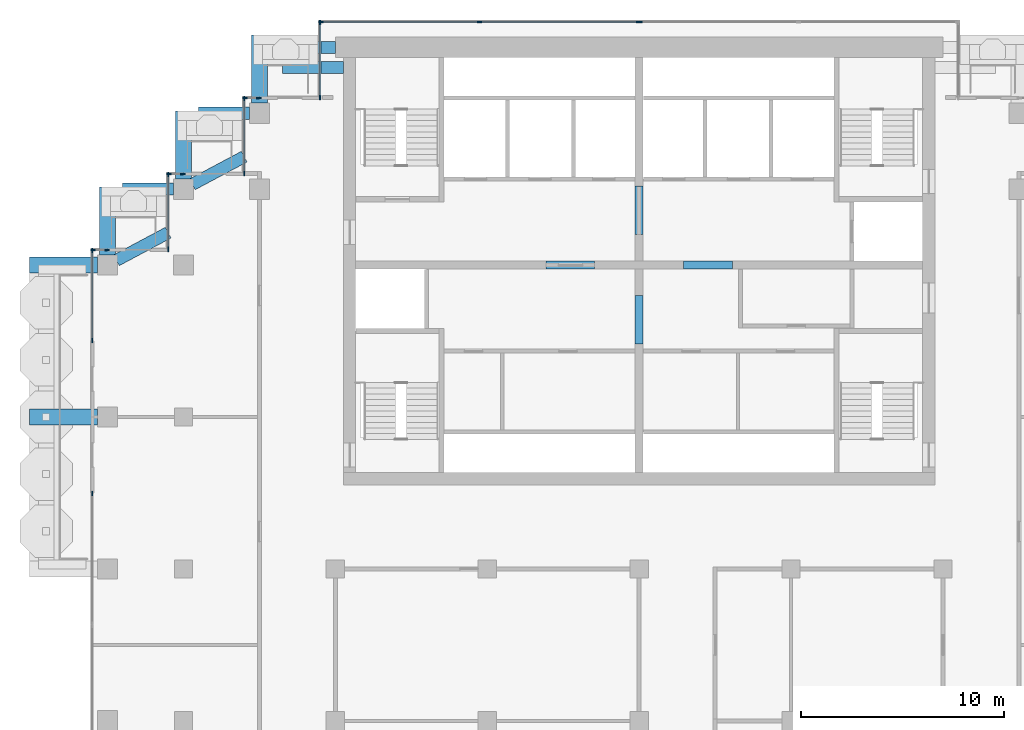
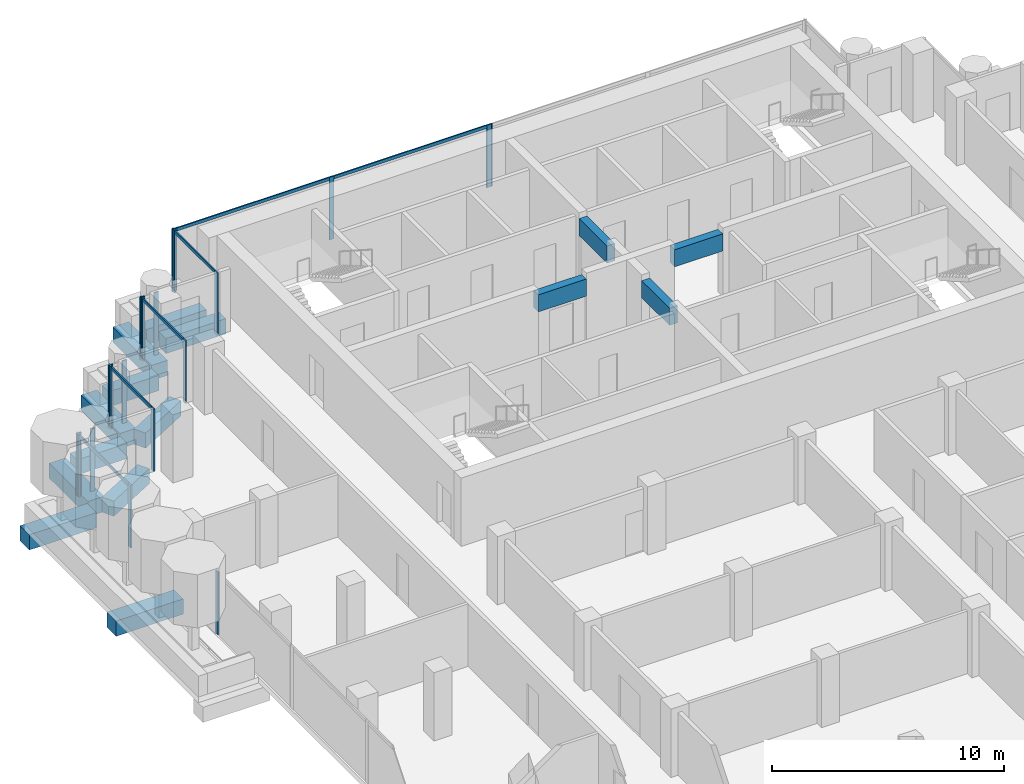
# One storey, part 5 of 18: 25 members, 15 beams, 10 elements without a shape of their own.
"""IFC4 building model written with IfcOpenShell, lengths in metres."""

from ifc_helpers import new_model, si_unit, direction, frame, origin, origin_2d, place, context, subcontext, project, spatial, rectangle, extrude, material, material_profile, profile_set, type_object, element, aggregate, save


model = new_model("IFC4")

# Units and contexts
model_context = context("Model", 3, precision=1e-05, world=origin(), true_north=direction((0.0, 1.0)))
body_context = subcontext(model_context, "Body", "Model", "MODEL_VIEW")
ifc_project = project(units=[si_unit("LENGTHUNIT", "METRE"), si_unit("AREAUNIT", "SQUARE_METRE"), si_unit("VOLUMEUNIT", "CUBIC_METRE"), si_unit("PLANEANGLEUNIT", "RADIAN"), si_unit("MASSUNIT", "GRAM", prefix="KILO")], contexts=[model_context])

# Site, building, storey
site_placement = place(None, origin())
site = spatial("IfcSite", under=ifc_project, at=site_placement, CompositionType="ELEMENT")
building_placement = place(site_placement, origin())
building = spatial("IfcBuilding", under=site, at=building_placement, Name="Pilkhan Gate Tower", CompositionType="ELEMENT")
storey_placement = place(building_placement, frame((0.0, 0.0, 221.10009765625)))
storey = spatial("IfcBuildingStorey", under=building, at=storey_placement, Name="L57", CompositionType="ELEMENT", Elevation=221.10009765625)

# Beams
ifc_material_1 = material(Name="Concrete C50/60", Category="concrete")
ifc_material_profile_1 = material_profile(ifc_material_1, rectangle(XDim=0.60009765625, YDim=0.800048828125, at=origin_2d()), Name="RC 600x800")
ifc_profile_set_1 = profile_set([ifc_material_profile_1], Name="Concrete C50/60")
beam_type_1 = type_object("IfcBeamType", Name="Cantilever beam CB1 RC 600x800 C50/60", PredefinedType="BEAM", material=ifc_profile_set_1)
for number, where, z_axis, x_axis, name in (
    (1, (60.0, 93.25, -0.7001953125), (-1.0, 0.0, 0.0), (0.0, -1.0, 0.0), "Balcony beam NW.2 L57"),
    (2, (60.39990234375, 92.25, -0.7001953125), (-1.0, 0.0, 0.0), (0.0, -1.0, 0.0), "Balcony beam NW.3 L57"),
):
    element("IfcBeam", number, at=place(storey_placement, frame(where, z_axis=z_axis, x_axis=x_axis)), inside=storey, type_object=beam_type_1, Name=name, PredefinedType="BEAM", context=body_context, shape_type="SweptSolid", body=[
        extrude(rectangle(XDim=0.60009765625, YDim=0.800048828125, at=origin_2d()), origin(), (0.0, 0.0, 1.0), 3.0),
    ])
beam_1_placement = place(storey_placement, frame((55.75, 90.0, -0.7001953125), z_axis=(-1.0, 0.0, 0.0), x_axis=(0.0, -1.0, 0.0)))
element("IfcBeam", 3, at=beam_1_placement, inside=storey, type_object=beam_type_1, Name="Balcony beam NW1.2 L57", PredefinedType="BEAM", context=body_context, shape_type="SweptSolid", body=[
    extrude(rectangle(XDim=0.60009765625, YDim=0.800048828125, at=origin_2d()), origin(), (0.0, 0.0, 1.0), 2.5),
])
beam_2_placement = place(storey_placement, frame((52.941162109375, 86.4853515625, -0.7001953125), z_axis=(0.882348280344, 0.470596974251, 0.0), x_axis=(-0.470596974251, 0.882348280344, 0.0)))
element("IfcBeam", 4, at=beam_2_placement, inside=storey, type_object=beam_type_1, Name="Balcony beam NW1.3 L57", PredefinedType="BEAM", context=body_context, shape_type="SweptSolid", body=[
    extrude(rectangle(XDim=0.60009765625, YDim=0.800048828125, at=origin_2d()), origin(), (0.0, 0.0, 1.0), 2.900146484375),
])
beam_3_placement = place(storey_placement, frame((52.0, 86.25, -0.7001953125), z_axis=(-1.0, 0.0, 0.0), x_axis=(0.0, -1.0, 0.0)))
element("IfcBeam", 5, at=beam_3_placement, inside=storey, type_object=beam_type_1, Name="Balcony beam NW2.2 L57", PredefinedType="BEAM", context=body_context, shape_type="SweptSolid", body=[
    extrude(rectangle(XDim=0.60009765625, YDim=0.800048828125, at=origin_2d()), origin(), (0.0, 0.0, 1.0), 2.5),
])
beam_4_placement = place(storey_placement, frame((49.191162109375, 82.7353515625, -0.7001953125), z_axis=(0.882348280344, 0.470596974251, 0.0), x_axis=(-0.470596974251, 0.882348280344, 0.0)))
element("IfcBeam", 6, at=beam_4_placement, inside=storey, type_object=beam_type_1, Name="Balcony beam NW2.3 L57", PredefinedType="BEAM", context=body_context, shape_type="SweptSolid", body=[
    extrude(rectangle(XDim=0.60009765625, YDim=0.800048828125, at=origin_2d()), origin(), (0.0, 0.0, 1.0), 2.900146484375),
])
ifc_material_profile_2 = material_profile(ifc_material_1, rectangle(XDim=0.800048828125, YDim=0.800048828125, at=origin_2d()), Name="RC 800x800")
ifc_profile_set_2 = profile_set([ifc_material_profile_2], Name="Concrete C50/60")
beam_type_2 = type_object("IfcBeamType", Name="Cantilever beam CB2 RC 800x800 C50/60", PredefinedType="BEAM", material=ifc_profile_set_2)
for number, where, z_axis, x_axis, name in (
    (7, (56.25, 90.5, -0.7001953125), (0.0, 1.0, 0.0), (-1.0, 0.0, 0.0), "Balcony beam NW.1 L57"),
    (8, (52.5, 86.75, -0.7001953125), (0.0, 1.0, 0.0), (-1.0, 0.0, 0.0), "Balcony beam NW1.1 L57"),
    (9, (48.75, 83.0, -0.7001953125), (0.0, 1.0, 0.0), (-1.0, 0.0, 0.0), "Balcony beam NW2.1 L57"),
    (10, (48.25, 75.0, -0.7001953125), (-1.0, 0.0, 0.0), (0.0, -1.0, 0.0), "Balcony beam W.2 L57"),
    (11, (48.25, 82.5, -0.7001953125), (-1.0, 0.0, 0.0), (0.0, -1.0, 0.0), "Balcony beam W.3 L57"),
):
    element("IfcBeam", number, at=place(storey_placement, frame(where, z_axis=z_axis, x_axis=x_axis)), inside=storey, type_object=beam_type_2, Name=name, PredefinedType="BEAM", context=body_context, shape_type="SweptSolid", body=[
        extrude(rectangle(XDim=0.800048828125, YDim=0.800048828125, at=origin_2d()), origin(), (0.0, 0.0, 1.0), 3.35009765625),
    ])
ifc_material_profile_3 = material_profile(ifc_material_1, rectangle(XDim=0.39990234375, YDim=0.89990234375, at=origin_2d()), Name="RC 400x900")
ifc_profile_set_3 = profile_set([ifc_material_profile_3], Name="Concrete C50/60")
beam_type_3 = type_object("IfcBeamType", Name="Coupling beam CB90-4 RC 400x900 C50/60", PredefinedType="LINTEL", material=ifc_profile_set_3)
for number, where, z_axis, x_axis, name in (
    (12, (70.39990234375, 82.5, 2.849853515625), (1.0, 0.0, 0.0), (0.0, 1.0, 0.0), "Coupling beam 1 L57"),
    (13, (77.199951171875, 82.5, 2.849853515625), (1.0, 0.0, 0.0), (0.0, 1.0, 0.0), "Coupling beam 2 L57"),
):
    element("IfcBeam", number, at=place(storey_placement, frame(where, z_axis=z_axis, x_axis=x_axis)), inside=storey, type_object=beam_type_3, Name=name, PredefinedType="LINTEL", context=body_context, shape_type="SweptSolid", body=[
        extrude(rectangle(XDim=0.39990234375, YDim=0.89990234375, at=origin_2d()), origin(), (0.0, 0.0, 1.0), 2.400146484375),
    ])
for number, where, z_axis, x_axis, name in (
    (14, (75.0, 78.60009765625, 2.849853515625), (0.0, 1.0, 0.0), (-1.0, 0.0, 0.0), "Coupling beam 3 L57"),
    (15, (75.0, 84.0, 2.849853515625), (0.0, 1.0, 0.0), (-1.0, 0.0, 0.0), "Coupling beam 4 L57"),
):
    element("IfcBeam", number, at=place(storey_placement, frame(where, z_axis=z_axis, x_axis=x_axis)), inside=storey, type_object=beam_type_3, Name=name, PredefinedType="LINTEL", context=body_context, shape_type="SweptSolid", body=[
        extrude(rectangle(XDim=0.39990234375, YDim=0.89990234375, at=origin_2d()), origin(), (0.0, 0.0, 1.0), 2.39990234375),
    ])

# Curtain wall, members
ifc_material_2 = material(Name="Pale anodised aluminium, clear low-iron double glazing", Category="aluminium")
curtain_wall_type = type_object("IfcCurtainWallType", Name="Office unitised curtain wall CW-O2", PredefinedType="USERDEFINED", material=ifc_material_2)
curtain_wall_1_placement = place(storey_placement, origin())
curtain_wall_1 = element("IfcCurtainWall", 16, at=curtain_wall_1_placement, inside=storey, type_object=curtain_wall_type, Name="Office unitised curtain wall CW-O2 L57 N", ObjectType="UNITISED CURTAIN WALL", PredefinedType="USERDEFINED")
ifc_material_3 = material(Name="Pale anodised aluminium", Category="aluminium")
ifc_material_profile_4 = material_profile(ifc_material_3, rectangle(XDim=0.06494140625, YDim=0.22509765625, at=origin_2d()), Name="Mullion 225x65")
ifc_profile_set_4 = profile_set([ifc_material_profile_4], Name="Pale anodised aluminium")
member_type_1 = type_object("IfcMemberType", Name="Mullion CW-O2 225x65", PredefinedType="MULLION", material=ifc_profile_set_4)
member_1_placement = place(storey_placement, frame((59.282470703125, 94.5, 0.0), z_axis=(0.0, 0.0, 1.0), x_axis=(0.0, 1.0, 0.0)))
member_1 = element("IfcMember", 17, at=member_1_placement, type_object=member_type_1, Name="CW-O2 mullion 1", PredefinedType="MULLION", context=body_context, shape_type="SweptSolid", body=[
    extrude(rectangle(XDim=0.06494140625, YDim=0.22509765625, at=origin_2d()), origin(), (0.0, 0.0, 1.0), 3.2998046875),
])
member_2_placement = place(storey_placement, frame((67.125, 94.5, 0.0), z_axis=(0.0, 0.0, 1.0), x_axis=(0.0, 1.0, 0.0)))
member_2 = element("IfcMember", 18, at=member_2_placement, type_object=member_type_1, Name="CW-O2 mullion 2", PredefinedType="MULLION", context=body_context, shape_type="SweptSolid", body=[
    extrude(rectangle(XDim=0.06494140625, YDim=0.22509765625, at=origin_2d()), origin(), (0.0, 0.0, 1.0), 3.2998046875),
])
member_3_placement = place(storey_placement, frame((74.967529296875, 94.5, 0.0), z_axis=(0.0, 0.0, 1.0), x_axis=(0.0, 1.0, 0.0)))
member_3 = element("IfcMember", 19, at=member_3_placement, type_object=member_type_1, Name="CW-O2 mullion 3", PredefinedType="MULLION", context=body_context, shape_type="SweptSolid", body=[
    extrude(rectangle(XDim=0.06494140625, YDim=0.22509765625, at=origin_2d()), origin(), (0.0, 0.0, 1.0), 3.2998046875),
])

# Curtain wall, member
curtain_wall_2_placement = place(storey_placement, origin())
curtain_wall_2 = element("IfcCurtainWall", 20, at=curtain_wall_2_placement, inside=storey, type_object=curtain_wall_type, Name="Office unitised curtain wall CW-O2 L57 N", ObjectType="UNITISED CURTAIN WALL", PredefinedType="USERDEFINED")
member_4_placement = place(storey_placement, frame((75.032470703125, 94.5, 0.0), z_axis=(0.0, 0.0, 1.0), x_axis=(0.0, 1.0, 0.0)))
member_4 = element("IfcMember", 21, at=member_4_placement, type_object=member_type_1, Name="CW-O2 mullion 1", PredefinedType="MULLION", context=body_context, shape_type="SweptSolid", body=[
    extrude(rectangle(XDim=0.06494140625, YDim=0.22509765625, at=origin_2d()), origin(), (0.0, 0.0, 1.0), 3.2998046875),
])
aggregate(curtain_wall_2, [member_4])

# Curtain wall, members
curtain_wall_3_placement = place(storey_placement, origin())
curtain_wall_3 = element("IfcCurtainWall", 22, at=curtain_wall_3_placement, inside=storey, type_object=curtain_wall_type, Name="Office unitised curtain wall CW-O2 L57 W", ObjectType="UNITISED CURTAIN WALL", PredefinedType="USERDEFINED")
member_5_placement = place(storey_placement, frame((59.25, 90.782470703125, 0.0), z_axis=(0.0, 0.0, 1.0), x_axis=(-1.0, 0.0, 0.0)))
member_5 = element("IfcMember", 23, at=member_5_placement, type_object=member_type_1, Name="CW-O2 mullion 1", PredefinedType="MULLION", context=body_context, shape_type="SweptSolid", body=[
    extrude(rectangle(XDim=0.06494140625, YDim=0.22509765625, at=origin_2d()), origin(), (0.0, 0.0, 1.0), 3.2998046875),
])
member_6_placement = place(storey_placement, frame((59.25, 94.467529296875, 0.0), z_axis=(0.0, 0.0, 1.0), x_axis=(-1.0, 0.0, 0.0)))
member_6 = element("IfcMember", 24, at=member_6_placement, type_object=member_type_1, Name="CW-O2 mullion 2", PredefinedType="MULLION", context=body_context, shape_type="SweptSolid", body=[
    extrude(rectangle(XDim=0.06494140625, YDim=0.22509765625, at=origin_2d()), origin(), (0.0, 0.0, 1.0), 3.2998046875),
])

curtain_wall_4_placement = place(storey_placement, origin())
curtain_wall_4 = element("IfcCurtainWall", 25, at=curtain_wall_4_placement, inside=storey, type_object=curtain_wall_type, Name="Office unitised curtain wall CW-O2 L57 N", ObjectType="UNITISED CURTAIN WALL", PredefinedType="USERDEFINED")
member_7_placement = place(storey_placement, frame((55.532470703125, 90.75, 0.0), z_axis=(0.0, 0.0, 1.0), x_axis=(0.0, 1.0, 0.0)))
member_7 = element("IfcMember", 26, at=member_7_placement, type_object=member_type_1, Name="CW-O2 mullion 1", PredefinedType="MULLION", context=body_context, shape_type="SweptSolid", body=[
    extrude(rectangle(XDim=0.06494140625, YDim=0.22509765625, at=origin_2d()), origin(), (0.0, 0.0, 1.0), 3.2998046875),
])
member_8_placement = place(storey_placement, frame((56.217529296875, 90.75, 0.0), z_axis=(0.0, 0.0, 1.0), x_axis=(0.0, 1.0, 0.0)))
member_8 = element("IfcMember", 27, at=member_8_placement, type_object=member_type_1, Name="CW-O2 mullion 2", PredefinedType="MULLION", context=body_context, shape_type="SweptSolid", body=[
    extrude(rectangle(XDim=0.06494140625, YDim=0.22509765625, at=origin_2d()), origin(), (0.0, 0.0, 1.0), 3.2998046875),
])
aggregate(curtain_wall_4, [member_7, member_8])

curtain_wall_5_placement = place(storey_placement, origin())
curtain_wall_5 = element("IfcCurtainWall", 28, at=curtain_wall_5_placement, inside=storey, type_object=curtain_wall_type, Name="Office unitised curtain wall CW-O2 L57 W", ObjectType="UNITISED CURTAIN WALL", PredefinedType="USERDEFINED")
member_9_placement = place(storey_placement, frame((55.5, 87.032470703125, 0.0), z_axis=(0.0, 0.0, 1.0), x_axis=(-1.0, 0.0, 0.0)))
member_9 = element("IfcMember", 29, at=member_9_placement, type_object=member_type_1, Name="CW-O2 mullion 1", PredefinedType="MULLION", context=body_context, shape_type="SweptSolid", body=[
    extrude(rectangle(XDim=0.06494140625, YDim=0.22509765625, at=origin_2d()), origin(), (0.0, 0.0, 1.0), 3.2998046875),
])
member_10_placement = place(storey_placement, frame((55.5, 90.717529296875, 0.0), z_axis=(0.0, 0.0, 1.0), x_axis=(-1.0, 0.0, 0.0)))
member_10 = element("IfcMember", 30, at=member_10_placement, type_object=member_type_1, Name="CW-O2 mullion 2", PredefinedType="MULLION", context=body_context, shape_type="SweptSolid", body=[
    extrude(rectangle(XDim=0.06494140625, YDim=0.22509765625, at=origin_2d()), origin(), (0.0, 0.0, 1.0), 3.2998046875),
])

curtain_wall_6_placement = place(storey_placement, origin())
curtain_wall_6 = element("IfcCurtainWall", 31, at=curtain_wall_6_placement, inside=storey, type_object=curtain_wall_type, Name="Office unitised curtain wall CW-O2 L57 N", ObjectType="UNITISED CURTAIN WALL", PredefinedType="USERDEFINED")
member_11_placement = place(storey_placement, frame((51.782470703125, 87.0, 0.0), z_axis=(0.0, 0.0, 1.0), x_axis=(0.0, 1.0, 0.0)))
member_11 = element("IfcMember", 32, at=member_11_placement, type_object=member_type_1, Name="CW-O2 mullion 1", PredefinedType="MULLION", context=body_context, shape_type="SweptSolid", body=[
    extrude(rectangle(XDim=0.06494140625, YDim=0.22509765625, at=origin_2d()), origin(), (0.0, 0.0, 1.0), 3.2998046875),
])
member_12_placement = place(storey_placement, frame((52.467529296875, 87.0, 0.0), z_axis=(0.0, 0.0, 1.0), x_axis=(0.0, 1.0, 0.0)))
member_12 = element("IfcMember", 33, at=member_12_placement, type_object=member_type_1, Name="CW-O2 mullion 2", PredefinedType="MULLION", context=body_context, shape_type="SweptSolid", body=[
    extrude(rectangle(XDim=0.06494140625, YDim=0.22509765625, at=origin_2d()), origin(), (0.0, 0.0, 1.0), 3.2998046875),
])
aggregate(curtain_wall_6, [member_11, member_12])

curtain_wall_7_placement = place(storey_placement, origin())
curtain_wall_7 = element("IfcCurtainWall", 34, at=curtain_wall_7_placement, inside=storey, type_object=curtain_wall_type, Name="Office unitised curtain wall CW-O2 L57 W", ObjectType="UNITISED CURTAIN WALL", PredefinedType="USERDEFINED")
member_13_placement = place(storey_placement, frame((51.75, 83.282470703125, 0.0), z_axis=(0.0, 0.0, 1.0), x_axis=(-1.0, 0.0, 0.0)))
member_13 = element("IfcMember", 35, at=member_13_placement, type_object=member_type_1, Name="CW-O2 mullion 1", PredefinedType="MULLION", context=body_context, shape_type="SweptSolid", body=[
    extrude(rectangle(XDim=0.06494140625, YDim=0.22509765625, at=origin_2d()), origin(), (0.0, 0.0, 1.0), 3.2998046875),
])
member_14_placement = place(storey_placement, frame((51.75, 86.967529296875, 0.0), z_axis=(0.0, 0.0, 1.0), x_axis=(-1.0, 0.0, 0.0)))
member_14 = element("IfcMember", 36, at=member_14_placement, type_object=member_type_1, Name="CW-O2 mullion 2", PredefinedType="MULLION", context=body_context, shape_type="SweptSolid", body=[
    extrude(rectangle(XDim=0.06494140625, YDim=0.22509765625, at=origin_2d()), origin(), (0.0, 0.0, 1.0), 3.2998046875),
])

curtain_wall_8_placement = place(storey_placement, origin())
curtain_wall_8 = element("IfcCurtainWall", 37, at=curtain_wall_8_placement, inside=storey, type_object=curtain_wall_type, Name="Office unitised curtain wall CW-O2 L57 N", ObjectType="UNITISED CURTAIN WALL", PredefinedType="USERDEFINED")
member_15_placement = place(storey_placement, frame((48.032470703125, 83.25, 0.0), z_axis=(0.0, 0.0, 1.0), x_axis=(0.0, 1.0, 0.0)))
member_15 = element("IfcMember", 38, at=member_15_placement, type_object=member_type_1, Name="CW-O2 mullion 1", PredefinedType="MULLION", context=body_context, shape_type="SweptSolid", body=[
    extrude(rectangle(XDim=0.06494140625, YDim=0.22509765625, at=origin_2d()), origin(), (0.0, 0.0, 1.0), 3.2998046875),
])
member_16_placement = place(storey_placement, frame((48.717529296875, 83.25, 0.0), z_axis=(0.0, 0.0, 1.0), x_axis=(0.0, 1.0, 0.0)))
member_16 = element("IfcMember", 39, at=member_16_placement, type_object=member_type_1, Name="CW-O2 mullion 2", PredefinedType="MULLION", context=body_context, shape_type="SweptSolid", body=[
    extrude(rectangle(XDim=0.06494140625, YDim=0.22509765625, at=origin_2d()), origin(), (0.0, 0.0, 1.0), 3.2998046875),
])
aggregate(curtain_wall_8, [member_15, member_16])

# Curtain wall, member
curtain_wall_9_placement = place(storey_placement, origin())
curtain_wall_9 = element("IfcCurtainWall", 40, at=curtain_wall_9_placement, inside=storey, type_object=curtain_wall_type, Name="Office unitised curtain wall CW-O2 L57 W", ObjectType="UNITISED CURTAIN WALL", PredefinedType="USERDEFINED")
member_17_placement = place(storey_placement, frame((48.0, 71.217529296875, 0.0), z_axis=(0.0, 0.0, 1.0), x_axis=(-1.0, 0.0, 0.0)))
member_17 = element("IfcMember", 41, at=member_17_placement, type_object=member_type_1, Name="CW-O2 mullion 2", PredefinedType="MULLION", context=body_context, shape_type="SweptSolid", body=[
    extrude(rectangle(XDim=0.06494140625, YDim=0.22509765625, at=origin_2d()), origin(), (0.0, 0.0, 1.0), 3.2998046875),
])
aggregate(curtain_wall_9, [member_17])

# Curtain wall, members
curtain_wall_10_placement = place(storey_placement, origin())
curtain_wall_10 = element("IfcCurtainWall", 42, at=curtain_wall_10_placement, inside=storey, type_object=curtain_wall_type, Name="Office unitised curtain wall CW-O2 L57 W", ObjectType="UNITISED CURTAIN WALL", PredefinedType="USERDEFINED")
member_18_placement = place(storey_placement, frame((48.0, 78.782470703125, 0.0), z_axis=(0.0, 0.0, 1.0), x_axis=(-1.0, 0.0, 0.0)))
member_18 = element("IfcMember", 43, at=member_18_placement, type_object=member_type_1, Name="CW-O2 mullion 1", PredefinedType="MULLION", context=body_context, shape_type="SweptSolid", body=[
    extrude(rectangle(XDim=0.06494140625, YDim=0.22509765625, at=origin_2d()), origin(), (0.0, 0.0, 1.0), 3.2998046875),
])
member_19_placement = place(storey_placement, frame((48.0, 83.217529296875, 0.0), z_axis=(0.0, 0.0, 1.0), x_axis=(-1.0, 0.0, 0.0)))
member_19 = element("IfcMember", 44, at=member_19_placement, type_object=member_type_1, Name="CW-O2 mullion 2", PredefinedType="MULLION", context=body_context, shape_type="SweptSolid", body=[
    extrude(rectangle(XDim=0.06494140625, YDim=0.22509765625, at=origin_2d()), origin(), (0.0, 0.0, 1.0), 3.2998046875),
])

# Member
ifc_material_profile_5 = material_profile(ifc_material_3, rectangle(XDim=0.06494140625, YDim=0.1650390625, at=origin_2d()), Name="Transom 165x65")
ifc_profile_set_5 = profile_set([ifc_material_profile_5], Name="Pale anodised aluminium")
member_type_2 = type_object("IfcMemberType", Name="Transom CW-O2 165x65", PredefinedType="USERDEFINED", material=ifc_profile_set_5)
member_20_placement = place(storey_placement, frame((59.31494140625, 94.5, 3.21728515625), z_axis=(1.0, 0.0, 0.0), x_axis=(0.0, 1.0, 0.0)))
member_20 = element("IfcMember", 45, at=member_20_placement, type_object=member_type_2, Name="CW-O2 transom 1", ObjectType="TRANSOM", PredefinedType="USERDEFINED", context=body_context, shape_type="SweptSolid", body=[
    extrude(rectangle(XDim=0.06494140625, YDim=0.1650390625, at=origin_2d()), origin(), (0.0, 0.0, 1.0), 7.777587890625),
])

member_21_placement = place(storey_placement, frame((67.157470703125, 94.5, 3.21728515625), z_axis=(1.0, 0.0, 0.0), x_axis=(0.0, 1.0, 0.0)))
member_21 = element("IfcMember", 46, at=member_21_placement, type_object=member_type_2, Name="CW-O2 transom 2", ObjectType="TRANSOM", PredefinedType="USERDEFINED", context=body_context, shape_type="SweptSolid", body=[
    extrude(rectangle(XDim=0.06494140625, YDim=0.1650390625, at=origin_2d()), origin(), (0.0, 0.0, 1.0), 7.777587890625),
])

aggregate(curtain_wall_1, [member_1, member_2, member_3, member_20, member_21])

member_22_placement = place(storey_placement, frame((59.25, 90.81494140625, 3.21728515625), z_axis=(0.0, 1.0, 0.0), x_axis=(-1.0, 0.0, 0.0)))
member_22 = element("IfcMember", 47, at=member_22_placement, type_object=member_type_2, Name="CW-O2 transom 1", ObjectType="TRANSOM", PredefinedType="USERDEFINED", context=body_context, shape_type="SweptSolid", body=[
    extrude(rectangle(XDim=0.06494140625, YDim=0.1650390625, at=origin_2d()), origin(), (0.0, 0.0, 1.0), 3.6201171875),
])

aggregate(curtain_wall_3, [member_5, member_6, member_22])

member_23_placement = place(storey_placement, frame((55.5, 87.06494140625, 3.21728515625), z_axis=(0.0, 1.0, 0.0), x_axis=(-1.0, 0.0, 0.0)))
member_23 = element("IfcMember", 48, at=member_23_placement, type_object=member_type_2, Name="CW-O2 transom 1", ObjectType="TRANSOM", PredefinedType="USERDEFINED", context=body_context, shape_type="SweptSolid", body=[
    extrude(rectangle(XDim=0.06494140625, YDim=0.1650390625, at=origin_2d()), origin(), (0.0, 0.0, 1.0), 3.6201171875),
])

aggregate(curtain_wall_5, [member_9, member_10, member_23])

member_24_placement = place(storey_placement, frame((51.75, 83.31494140625, 3.21728515625), z_axis=(0.0, 1.0, 0.0), x_axis=(-1.0, 0.0, 0.0)))
member_24 = element("IfcMember", 49, at=member_24_placement, type_object=member_type_2, Name="CW-O2 transom 1", ObjectType="TRANSOM", PredefinedType="USERDEFINED", context=body_context, shape_type="SweptSolid", body=[
    extrude(rectangle(XDim=0.06494140625, YDim=0.1650390625, at=origin_2d()), origin(), (0.0, 0.0, 1.0), 3.6201171875),
])

aggregate(curtain_wall_7, [member_13, member_14, member_24])

member_25_placement = place(storey_placement, frame((48.0, 78.81494140625, 3.21728515625), z_axis=(0.0, 1.0, 0.0), x_axis=(-1.0, 0.0, 0.0)))
member_25 = element("IfcMember", 50, at=member_25_placement, type_object=member_type_2, Name="CW-O2 transom 1", ObjectType="TRANSOM", PredefinedType="USERDEFINED", context=body_context, shape_type="SweptSolid", body=[
    extrude(rectangle(XDim=0.06494140625, YDim=0.1650390625, at=origin_2d()), origin(), (0.0, 0.0, 1.0), 4.3701171875),
])

aggregate(curtain_wall_10, [member_18, member_19, member_25])

save(model, "model.ifc")
